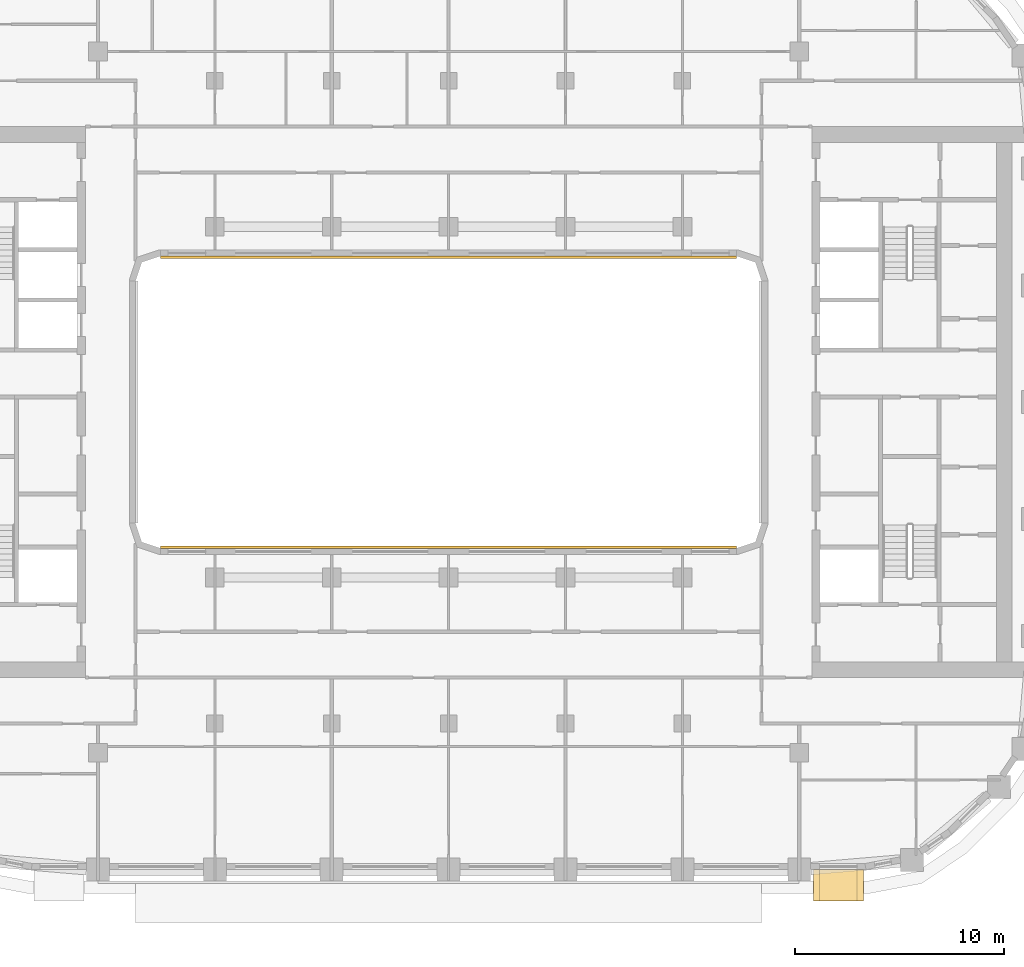
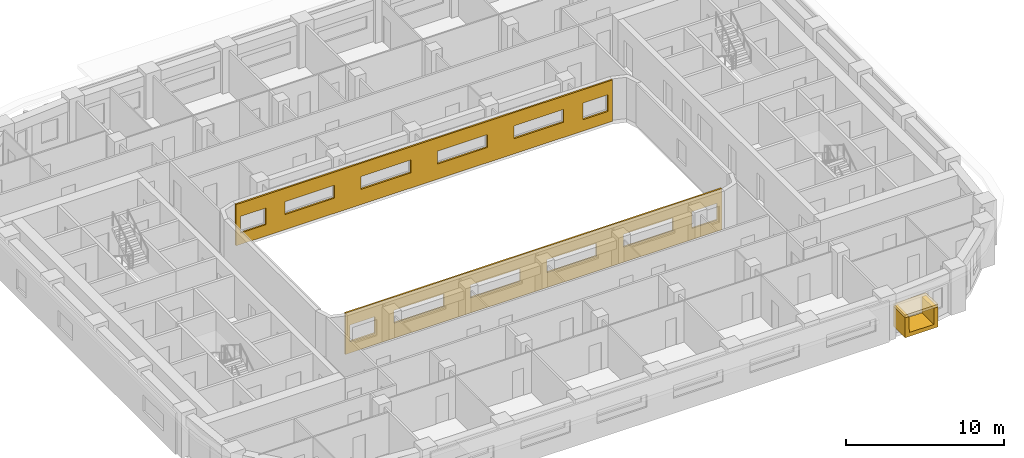
# One storey, part 16 of 22: 4 coverings.
"""IFC4 building model written with IfcOpenShell, lengths in metres."""

from ifc_helpers import new_model, si_unit, direction, frame, origin, origin_2d, place, context, subcontext, project, spatial, polyline, rectangle, outline, extrude, material, layer, layer_set, type_object, element, save


model = new_model("IFC4")

# Units and contexts
model_context = context("Model", 3, precision=1e-05, world=origin(), true_north=direction((0.0, 1.0)))
body_context = subcontext(model_context, "Body", "Model", "MODEL_VIEW")
ifc_project = project(units=[si_unit("LENGTHUNIT", "METRE"), si_unit("AREAUNIT", "SQUARE_METRE"), si_unit("VOLUMEUNIT", "CUBIC_METRE"), si_unit("PLANEANGLEUNIT", "RADIAN"), si_unit("MASSUNIT", "GRAM", prefix="KILO")], contexts=[model_context])

# Site, building, storey
site_placement = place(None, origin())
site = spatial("IfcSite", under=ifc_project, at=site_placement, CompositionType="ELEMENT")
building_placement = place(site_placement, origin())
building = spatial("IfcBuilding", under=site, at=building_placement, Name="Kiln Ring Residences", CompositionType="ELEMENT")
storey_placement = place(building_placement, frame((0.0, 0.0, 150.10009765625)))
storey = spatial("IfcBuildingStorey", under=building, at=storey_placement, Name="L38", CompositionType="ELEMENT", Elevation=150.10009765625)

# Coverings
ifc_material_1 = material(Name="Brick masonry, dark clay brick", Category="masonry")
ifc_layer_1 = layer(ifc_material_1, 0.300048828125)
ifc_layer_set_1 = layer_set([ifc_layer_1], Name="FRAME CHEEKS AND SILL 1500")
covering_type_1 = type_object("IfcCoveringType", Name="FRAME CHEEKS AND SILL 1500", PredefinedType="CLADDING", material=ifc_layer_set_1)
covering_1_placement = place(storey_placement, frame((17.47509765625, -23.14990234375, 0.599853515625), z_axis=(0.0, 0.0, 1.0), x_axis=(1.0, 0.0, 0.0)))
element("IfcCovering", 1, at=covering_1_placement, inside=storey, type_object=covering_type_1, Name="FRAME L38", PredefinedType="CLADDING", context=body_context, shape_type="SweptSolid", body=[
    extrude(outline(polyline([(0.0, 0.0), (2.39990234375, 0.0), (2.39990234375, 1.550048828125), (2.10107421875, 1.550048828125), (2.10009765625, 0.300048828125), (0.300048828125, 0.300048828125), (0.299072265625, 1.550048828125), (0.0, 1.550048828125), (0.0, 0.0)])), frame((0.0, 0.75, 0.0), z_axis=(0.0, -1.0, 0.0), x_axis=(1.0, 0.0, 0.0)), (0.0, 0.0, 1.0), 1.5),
])
ifc_material_2 = material(Name="Brick masonry, dark clay brick", Category="masonry")
ifc_layer_2 = layer(ifc_material_2, 0.199951171875)
ifc_layer_set_2 = layer_set([ifc_layer_2], Name="FRAME HEAD 1500")
covering_type_2 = type_object("IfcCoveringType", Name="FRAME HEAD 1500", PredefinedType="CLADDING", material=ifc_layer_set_2)
covering_2_placement = place(storey_placement, frame((18.675048828125, -23.14990234375, 2.14990234375), z_axis=(0.0, 0.0, 1.0), x_axis=(1.0, 0.0, 0.0)))
element("IfcCovering", 2, at=covering_2_placement, inside=storey, type_object=covering_type_2, Name="FRAME HEAD L38", PredefinedType="CLADDING", context=body_context, shape_type="SweptSolid", body=[
    extrude(rectangle(XDim=2.39990234375, YDim=1.5, at=origin_2d()), origin(), (0.0, 0.0, 1.0), 0.199951171875),
])
ifc_material_3 = material(Name="Brick masonry, dark clay brick", Category="masonry")
ifc_layer_3 = layer(ifc_material_3, 0.1201171875)
ifc_layer_set_3 = layer_set([ifc_layer_3], Name="RAINSCREEN PANEL 120")
covering_type_3 = type_object("IfcCoveringType", Name="RAINSCREEN PANEL 120", PredefinedType="CLADDING", material=ifc_layer_set_3)
for number, where, z_axis, x_axis, name in (
    (3, (-13.800048828125, 6.93994140625, 0.0), (0.0, 0.0, 1.0), (1.0, 0.0, 0.0), "RAINSCREEN L38"),
    (4, (13.800048828125, -6.93994140625, 0.0), (0.0, 0.0, 1.0), (-1.0, 0.0, 0.0), "RAINSCREEN L38"),
):
    element("IfcCovering", number, at=place(storey_placement, frame(where, z_axis=z_axis, x_axis=x_axis)), inside=storey, type_object=covering_type_3, Name=name, PredefinedType="CLADDING", context=body_context, shape_type="SweptSolid", body=[
        extrude(outline(polyline([(0.0, 0.0), (27.60009765625, 0.0), (27.60009765625, 3.199951171875), (0.0, 3.199951171875), (0.0, 0.0)]), holes=[polyline([(2.1826171875, 0.8798828125), (2.1826171875, 2.169921875), (0.342529296875, 2.169921875), (0.342529296875, 0.8798828125), (2.1826171875, 0.8798828125)]), polyline([(25.41748046875, 0.8798828125), (27.257568359375, 0.8798828125), (27.257568359375, 2.169921875), (25.41748046875, 2.169921875), (25.41748046875, 0.8798828125)]), polyline([(3.580078125, 1.179931640625), (7.219970703125, 1.179931640625), (7.219970703125, 2.169921875), (3.580078125, 2.169921875), (3.580078125, 1.179931640625)]), polyline([(12.820068359375, 1.179931640625), (12.820068359375, 2.169921875), (9.179931640625, 2.169921875), (9.179931640625, 1.179931640625), (12.820068359375, 1.179931640625)]), polyline([(14.780029296875, 1.179931640625), (18.419921875, 1.179931640625), (18.419921875, 2.169921875), (14.780029296875, 2.169921875), (14.780029296875, 1.179931640625)]), polyline([(20.3798828125, 1.179931640625), (24.02001953125, 1.179931640625), (24.02001953125, 2.169921875), (20.3798828125, 2.169921875), (20.3798828125, 1.179931640625)])]), frame((0.0, 0.06005859375, 0.0), z_axis=(0.0, -1.0, 0.0), x_axis=(1.0, 0.0, 0.0)), (0.0, 0.0, 1.0), 0.1201171875),
    ])

save(model, "model.ifc")
